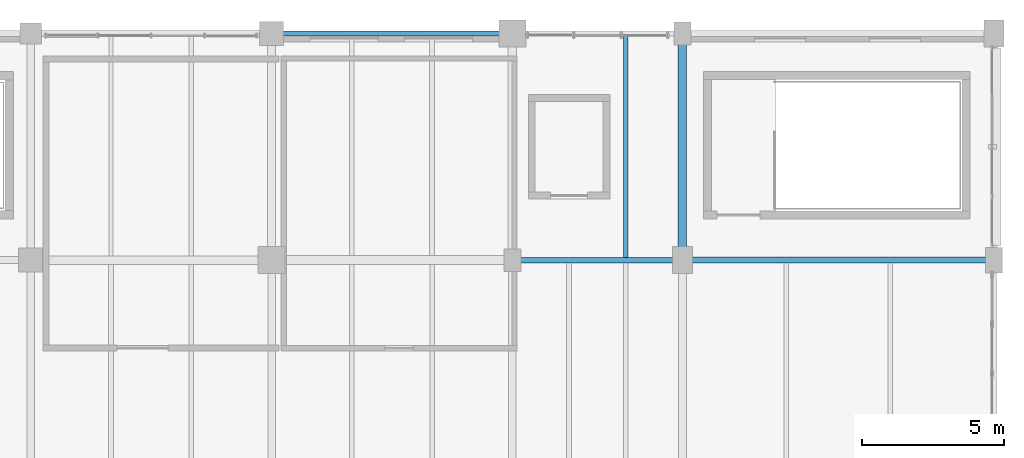
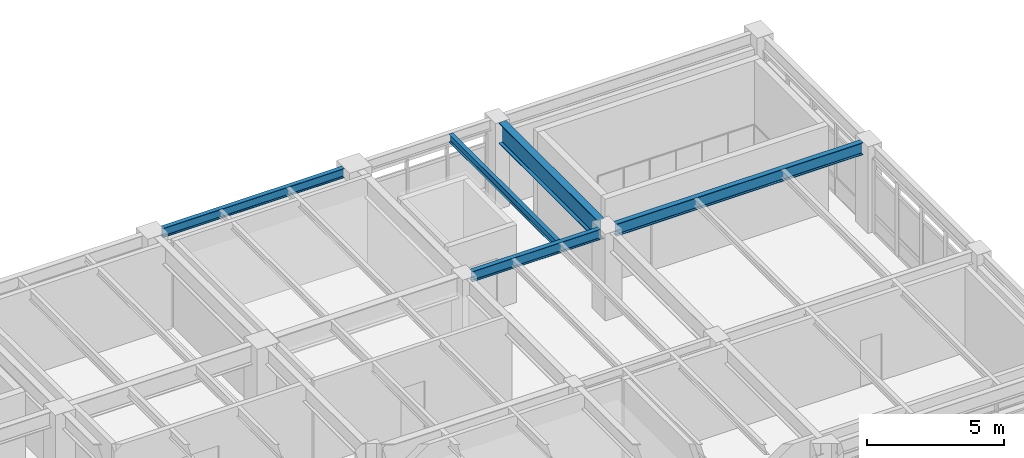
# One storey, part 17 of 26: 5 beams.
"""IFC4 building model written with IfcOpenShell, lengths in metres."""

from ifc_helpers import new_model, si_unit, direction, frame, origin, origin_2d, place, context, subcontext, project, spatial, i_section, extrude, material, material_profile, profile_set, type_object, element, save


model = new_model("IFC4")

# Units and contexts
model_context = context("Model", 3, precision=1e-05, world=origin(), true_north=direction((0.0, 1.0)))
body_context = subcontext(model_context, "Body", "Model", "MODEL_VIEW")
ifc_project = project(units=[si_unit("LENGTHUNIT", "METRE"), si_unit("AREAUNIT", "SQUARE_METRE"), si_unit("VOLUMEUNIT", "CUBIC_METRE"), si_unit("PLANEANGLEUNIT", "RADIAN"), si_unit("MASSUNIT", "GRAM", prefix="KILO"), si_unit("THERMODYNAMICTEMPERATUREUNIT", "KELVIN"), si_unit("POWERUNIT", "WATT")], contexts=[model_context])

# Site, building, storey
site_placement = place(None, origin())
site = spatial("IfcSite", under=ifc_project, at=site_placement, CompositionType="ELEMENT")
building_placement = place(site_placement, origin())
building = spatial("IfcBuilding", under=site, at=building_placement, Name="Tepalcoro Natatorium and Aquatics Centre", CompositionType="ELEMENT")
storey_placement = place(building_placement, frame((0.0, 0.0, 19.0)))
storey = spatial("IfcBuildingStorey", under=building, at=storey_placement, Name="L04", CompositionType="ELEMENT", Elevation=19.0)

# Beams
ifc_material = material(Name="Steel ASTM A992 Grade 50 (Fy 345 MPa)", Category="steel")
ifc_material_profile_1 = material_profile(ifc_material, i_section(OverallWidth=0.19091796875, OverallDepth=0.45703125, WebThickness=0.009033203125, FlangeThickness=0.013916015625, FilletRadius=0.013916015625, at=origin_2d()), Name="W18X50")
ifc_profile_set_1 = profile_set([ifc_material_profile_1], Name="Steel ASTM A992 Grade 50 (Fy 345 MPa)")
beam_type_1 = type_object("IfcBeamType", Name="BM_W18x50", PredefinedType="BEAM", material=ifc_profile_set_1)
beam_1_placement = place(storey_placement, frame((159.284912109375, 110.0, 3.6064453125), z_axis=(1.0, 0.0, 0.0), x_axis=(0.0, 1.0, 0.0)))
element("IfcBeam", 1, at=beam_1_placement, inside=storey, type_object=beam_type_1, Name="V5 L04 Grid Girder X", PredefinedType="BEAM", context=body_context, shape_type="SweptSolid", body=[
    extrude(i_section(OverallWidth=0.19091796875, OverallDepth=0.45703125, WebThickness=0.009033203125, FlangeThickness=0.013916015625, FilletRadius=0.013916015625, at=origin_2d()), origin(), (0.0, 0.0, 1.0), 5.380126953125),
])
ifc_material_profile_2 = material_profile(ifc_material, i_section(OverallWidth=0.2119140625, OverallDepth=0.5439453125, WebThickness=0.012939453125, FlangeThickness=0.02099609375, FilletRadius=0.013916015625, at=origin_2d()), Name="W21X83")
ifc_profile_set_2 = profile_set([ifc_material_profile_2], Name="Steel ASTM A992 Grade 50 (Fy 345 MPa)")
beam_type_2 = type_object("IfcBeamType", Name="BM_W21x83", PredefinedType="BEAM", material=ifc_profile_set_2)
beam_2_placement = place(storey_placement, frame((165.3349609375, 110.0, 3.56298828125), z_axis=(1.0, 0.0, 0.0), x_axis=(0.0, 1.0, 0.0)))
element("IfcBeam", 2, at=beam_2_placement, inside=storey, type_object=beam_type_2, Name="V5 L04 Grid Girder X", PredefinedType="BEAM", context=body_context, shape_type="SweptSolid", body=[
    extrude(i_section(OverallWidth=0.2119140625, OverallDepth=0.5439453125, WebThickness=0.012939453125, FlangeThickness=0.02099609375, FilletRadius=0.013916015625, at=origin_2d()), origin(), (0.0, 0.0, 1.0), 10.380126953125),
])
ifc_material_profile_3 = material_profile(ifc_material, i_section(OverallWidth=0.304931640625, OverallDepth=0.9189453125, WebThickness=0.01708984375, FlangeThickness=0.028076171875, FilletRadius=0.013916015625, at=origin_2d()), Name="W36X170")
ifc_profile_set_3 = profile_set([ifc_material_profile_3], Name="Steel ASTM A992 Grade 50 (Fy 345 MPa)")
beam_type_3 = type_object("IfcBeamType", Name="BM_W36x170", PredefinedType="BEAM", material=ifc_profile_set_3)
beam_3_placement = place(storey_placement, frame((165.0, 110.4599609375, 3.37548828125), z_axis=(0.0, 1.0, 0.0), x_axis=(-1.0, 0.0, 0.0)))
element("IfcBeam", 3, at=beam_3_placement, inside=storey, type_object=beam_type_3, Name="V5 L04 Grid Girder Y", PredefinedType="BEAM", context=body_context, shape_type="SweptSolid", body=[
    extrude(i_section(OverallWidth=0.304931640625, OverallDepth=0.9189453125, WebThickness=0.01708984375, FlangeThickness=0.028076171875, FilletRadius=0.013916015625, at=origin_2d()), origin(), (0.0, 0.0, 1.0), 7.155029296875),
])
ifc_material_profile_4 = material_profile(ifc_material, i_section(OverallWidth=0.1708984375, OverallDepth=0.35107421875, WebThickness=0.007080078125, FlangeThickness=0.010009765625, FilletRadius=0.013916015625, at=origin_2d()), Name="W14X30")
ifc_profile_set_4 = profile_set([ifc_material_profile_4], Name="Steel ASTM A992 Grade 50 (Fy 345 MPa)")
beam_type_4 = type_object("IfcBeamType", Name="JS_W14x30", PredefinedType="JOIST", material=ifc_profile_set_4)
beam_4_placement = place(storey_placement, frame((163.0, 110.095458984375, 3.659423828125), z_axis=(0.0, 1.0, 0.0), x_axis=(-1.0, 0.0, 0.0)))
element("IfcBeam", 4, at=beam_4_placement, inside=storey, type_object=beam_type_4, Name="V5 L04 Floor Joist", PredefinedType="JOIST", context=body_context, shape_type="SweptSolid", body=[
    extrude(i_section(OverallWidth=0.1708984375, OverallDepth=0.35107421875, WebThickness=0.007080078125, FlangeThickness=0.010009765625, FilletRadius=0.013916015625, at=origin_2d()), origin(), (0.0, 0.0, 1.0), 7.80908203125),
])
ifc_material_profile_5 = material_profile(ifc_material, i_section(OverallWidth=0.179931640625, OverallDepth=0.4130859375, WebThickness=0.010009765625, FlangeThickness=0.01611328125, FilletRadius=0.013916015625, at=origin_2d()), Name="W16X50")
ifc_profile_set_5 = profile_set([ifc_material_profile_5], Name="Steel ASTM A992 Grade 50 (Fy 345 MPa)")
beam_type_5 = type_object("IfcBeamType", Name="SP_HSS300x200x12", PredefinedType="SPANDREL", material=ifc_profile_set_5)
beam_5_placement = place(storey_placement, frame((150.909912109375, 118.0, 3.62841796875), z_axis=(1.0, 0.0, 0.0), x_axis=(0.0, 1.0, 0.0)))
element("IfcBeam", 5, at=beam_5_placement, inside=storey, type_object=beam_type_5, Name="V5 L04 Grid Girder X", PredefinedType="SPANDREL", context=body_context, shape_type="SweptSolid", body=[
    extrude(i_section(OverallWidth=0.179931640625, OverallDepth=0.4130859375, WebThickness=0.010009765625, FlangeThickness=0.01611328125, FilletRadius=0.013916015625, at=origin_2d()), origin(), (0.0, 0.0, 1.0), 7.630126953125),
])

save(model, "model.ifc")
